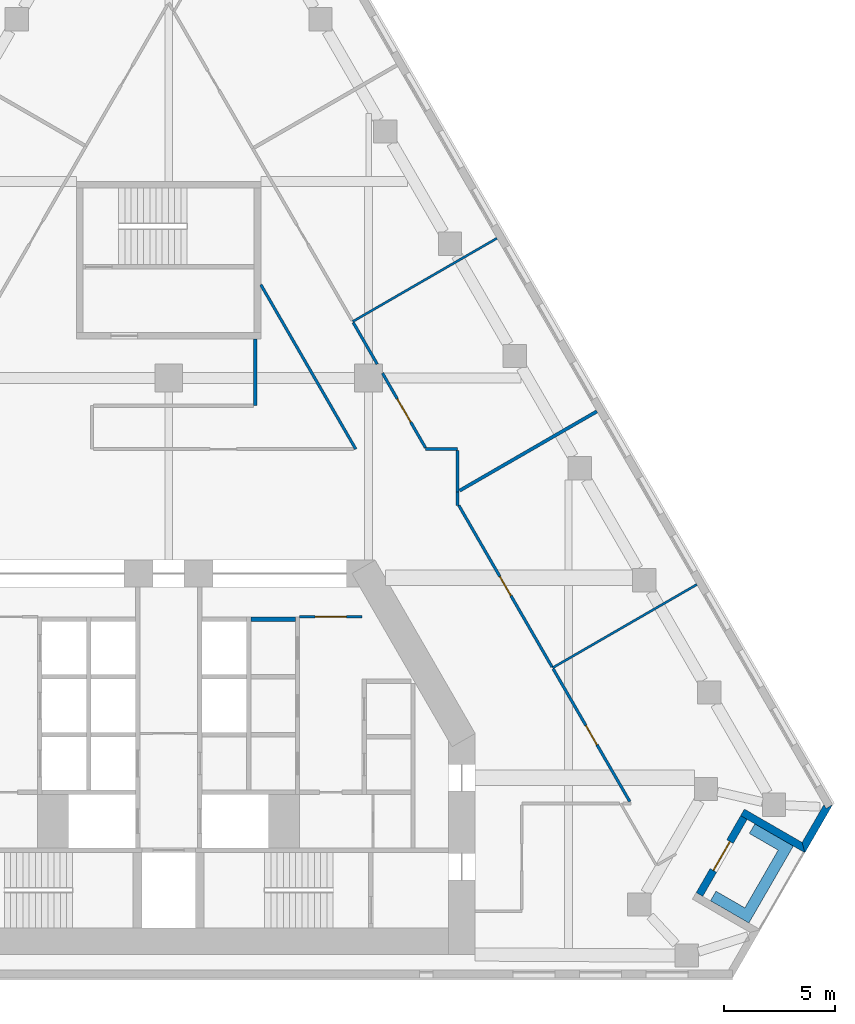
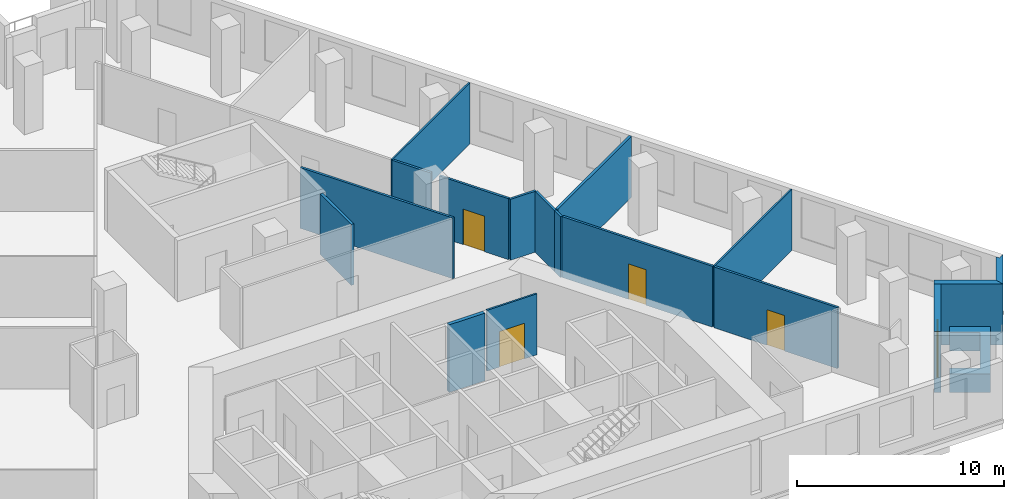
# One storey, part 7 of 10: 18 walls, 5 doors, 5 openings.
"""IFC4 building model written with IfcOpenShell, lengths in metres."""

import ifcopenshell
import ifcopenshell.guid

model = None  # the IFC model being written
_history = None  # IfcOwnerHistory: only IFC2X3 demands one
_inside = {}  # id of a spatial element -> (the spatial element, [elements in it])
_under = {}  # id of a project, library or spatial element -> (it, [spatial elements below it])
_declared = {}  # id of a project -> (the project, [libraries it declares])
_typed = {}  # id of a type object -> (the type object, [elements of that type])
_made_of = {}  # id of a material, layer set ... -> (it, [elements and type objects made of it])


def new_model(schema):
    """Start an empty IFC model of exactly this schema.

    Asked for "IFC4X3", IfcOpenShell would pick the latest addendum, in which some entities
    have other attributes; the version numbers below select the first issue.
    IFC2X3 requires an IfcOwnerHistory on every rooted entity: one is made here for all.
    """
    global model, _history
    if schema == "IFC4X3":
        model = ifcopenshell.file(schema_version=(4, 3, 0, 0))
    else:
        model = ifcopenshell.file(schema=schema)
    _inside.clear()
    _under.clear()
    _declared.clear()
    _typed.clear()
    _made_of.clear()
    _history = None
    if model.schema == "IFC2X3":
        org = make("IfcOrganization", Name="unknown")
        user = make(
            "IfcPersonAndOrganization",
            ThePerson=make("IfcPerson", FamilyName="unknown"),
            TheOrganization=org,
        )
        app = make(
            "IfcApplication",
            ApplicationDeveloper=org,
            Version="unknown",
            ApplicationFullName="unknown",
            ApplicationIdentifier="unknown",
        )
        _history = make(
            "IfcOwnerHistory",
            OwningUser=user,
            OwningApplication=app,
            ChangeAction="ADDED",
            CreationDate=0,
        )
    return model


def make(cls, **values):
    """One entity of the class cls with the attributes given. An attribute that is None is left unset."""
    return model.create_entity(
        cls, **{name: value for name, value in values.items() if value is not None}
    )


def rooted(cls, **values):
    """An entity with a GlobalId (a new one), such as an element, a storey or a relation."""
    return make(cls, GlobalId=ifcopenshell.guid.new(), OwnerHistory=_history, **values)


def si_unit(unit_type, name, prefix=None):
    """IfcSIUnit, for example si_unit("LENGTHUNIT", "METRE", prefix="MILLI")."""
    return make("IfcSIUnit", UnitType=unit_type, Prefix=prefix, Name=name)


def assignment(units):
    """IfcUnitAssignment: the units of a project."""
    return None if units is None else make("IfcUnitAssignment", Units=units)


def point(xyz):
    """IfcCartesianPoint."""
    return None if xyz is None else make("IfcCartesianPoint", Coordinates=xyz)


def direction(xyz):
    """IfcDirection."""
    return None if xyz is None else make("IfcDirection", DirectionRatios=xyz)


def frame(location, z_axis=None, x_axis=None):
    """IfcAxis2Placement3D, a coordinate frame: its origin and axes. An axis left out is left unset."""
    return make(
        "IfcAxis2Placement3D",
        Location=point(location),
        Axis=direction(z_axis),
        RefDirection=direction(x_axis),
    )


def frame_2d(location, x_axis=None):
    """IfcAxis2Placement2D, a coordinate frame in the plane: its origin and x axis."""
    return make(
        "IfcAxis2Placement2D", Location=point(location), RefDirection=direction(x_axis)
    )


def origin():
    """The frame at (0, 0, 0) with its axes left unset."""
    return frame((0.0, 0.0, 0.0))


def place(relative_to, where):
    """IfcLocalPlacement: puts the frame where relative to a parent placement (None: the world)."""
    return make(
        "IfcLocalPlacement", PlacementRelTo=relative_to, RelativePlacement=where
    )


def context(
    kind, dimensions, precision=None, world=None, true_north=None, identifier=None
):
    """IfcGeometricRepresentationContext, for example the 3D "Model" context."""
    return make(
        "IfcGeometricRepresentationContext",
        ContextIdentifier=identifier,
        ContextType=kind,
        CoordinateSpaceDimension=dimensions,
        Precision=precision,
        WorldCoordinateSystem=world,
        TrueNorth=true_north,
    )


def subcontext(parent, identifier, kind, view, scale=None):
    """IfcGeometricRepresentationSubContext, for example "Body" below "Model"."""
    return make(
        "IfcGeometricRepresentationSubContext",
        ContextIdentifier=identifier,
        ContextType=kind,
        ParentContext=parent,
        TargetScale=scale,
        TargetView=view,
    )


def project(units=None, contexts=None):
    """IfcProject with its units and contexts."""
    return rooted(
        "IfcProject",
        Name="project",
        RepresentationContexts=contexts,
        UnitsInContext=assignment(units),
    )


def spatial(cls, under=None, at=None, **own):
    """A site, building, storey or space (cls), placed at a placement, below another one or the project."""
    s = rooted(cls, ObjectPlacement=at, **own)
    if under is not None:
        _under.setdefault(under.id(), (under, []))[1].append(s)
    return s


def polyline(points):
    """IfcPolyline through the points."""
    return make("IfcPolyline", Points=[point(p) for p in points])


def profile(cls, at=None, kind="AREA", **sizes):
    """A parametric profile (cls). Its sizes go by their IFC names, for example OverallWidth=200.0."""
    return make(cls, ProfileType=kind, Position=at, **sizes)


def rectangle(**sizes):
    """IfcRectangleProfileDef."""
    return profile("IfcRectangleProfileDef", **sizes)


def outline(outer, holes=None, kind="AREA"):
    """IfcArbitraryClosedProfileDef: a profile drawn as a closed curve; with holes, ...WithVoids."""
    if holes is None:
        return make("IfcArbitraryClosedProfileDef", ProfileType=kind, OuterCurve=outer)
    return make(
        "IfcArbitraryProfileDefWithVoids",
        ProfileType=kind,
        OuterCurve=outer,
        InnerCurves=holes,
    )


def extrude(swept, where, along, depth):
    """IfcExtrudedAreaSolid: the profile swept, set in the frame where, extruded along a direction by depth."""
    return make(
        "IfcExtrudedAreaSolid",
        SweptArea=swept,
        Position=where,
        ExtrudedDirection=direction(along),
        Depth=depth,
    )


def shape(context_of_items, identifier, shape_type, items):
    """IfcShapeRepresentation: the items that make up one representation, for example the "Body"."""
    return make(
        "IfcShapeRepresentation",
        ContextOfItems=context_of_items,
        RepresentationIdentifier=identifier,
        RepresentationType=shape_type,
        Items=items,
    )


def material(Name=None, Category=None):
    """IfcMaterial."""
    return make("IfcMaterial", Name=Name, Category=Category)


def layer(
    of_material, thickness, ventilated=None, Name=None, Category=None, Priority=None
):
    """IfcMaterialLayer: one layer of a wall or slab, of a material (None: an air gap)."""
    return make(
        "IfcMaterialLayer",
        Material=of_material,
        LayerThickness=thickness,
        IsVentilated=ventilated,
        Name=Name,
        Category=Category,
        Priority=Priority,
    )


def layer_set(layers, Name=None):
    """IfcMaterialLayerSet."""
    return make("IfcMaterialLayerSet", MaterialLayers=layers, LayerSetName=Name)


def made_of(thing, what):
    """Note that an element or type object is made of a material, layer set ...; save() writes the relation."""
    if what is not None:
        _made_of.setdefault(what.id(), (what, []))[1].append(thing)
    return thing


def type_object(cls, material=None, **own):
    """A type object (cls), such as IfcWallType, which elements share."""
    return made_of(rooted(cls, **own), material)


def element(
    cls,
    number,
    at=None,
    inside=None,
    cuts=None,
    type_object=None,
    material=None,
    context=None,
    identifier="Body",
    shape_type=None,
    held_by="IfcProductDefinitionShape",
    body=None,
    shapes=None,
    **own,
):
    """One element of the class cls, such as IfcWall. Its Tag is "e" and its number.

    at: its placement. inside: the storey or other place that contains it. cuts: it is an
    opening in that element (IfcRelVoidsElement). A single representation is given by context,
    identifier, shape_type and body (its items); several are given by shapes. held_by: the class
    of the entity that holds the representations. save() writes the other relations.
    """
    e = rooted(cls, Tag="e%d" % number, ObjectPlacement=at, **own)
    if body is not None:
        shapes = [shape(context, identifier, shape_type, body)]
    if shapes is not None:
        e.Representation = make(held_by, Representations=shapes)
    if inside is not None:
        _inside.setdefault(inside.id(), (inside, []))[1].append(e)
    if cuts is not None:
        rooted(
            "IfcRelVoidsElement", RelatingBuildingElement=cuts, RelatedOpeningElement=e
        )
    if type_object is not None:
        _typed.setdefault(type_object.id(), (type_object, []))[1].append(e)
    return made_of(e, material)


def fill(opening, filler):
    """IfcRelFillsElement: the door or window that sits in an opening."""
    return rooted(
        "IfcRelFillsElement",
        RelatingOpeningElement=opening,
        RelatedBuildingElement=filler,
    )


def aggregate(whole, parts):
    """IfcRelAggregates: a whole, such as a stair, and the parts it consists of."""
    return rooted("IfcRelAggregates", RelatingObject=whole, RelatedObjects=parts)


def save(model, path):
    """Write the relations noted so far, then the file.

    IfcRelAggregates (storeys below a building ...), IfcRelContainedInSpatialStructure (elements
    in a storey), IfcRelDefinesByType, IfcRelAssociatesMaterial and IfcRelDeclares: one each for
    every whole, place, type object, material and project.
    """
    for whole, parts in _under.values():
        aggregate(whole, parts)
    for where, things in _inside.values():
        rooted(
            "IfcRelContainedInSpatialStructure",
            RelatedElements=things,
            RelatingStructure=where,
        )
    for kind, things in _typed.values():
        rooted("IfcRelDefinesByType", RelatedObjects=things, RelatingType=kind)
    for what, things in _made_of.values():
        rooted("IfcRelAssociatesMaterial", RelatedObjects=things, RelatingMaterial=what)
    for by, libraries in _declared.values():
        rooted("IfcRelDeclares", RelatingContext=by, RelatedDefinitions=libraries)
    model.write(path)


model = new_model("IFC4")

# Units and contexts
model_context = context("Model", 3, precision=1e-05, world=origin(), true_north=direction((0.0, 1.0)))
body_context = subcontext(model_context, "Body", "Model", "MODEL_VIEW")
ifc_project = project(units=[si_unit("LENGTHUNIT", "METRE"), si_unit("AREAUNIT", "SQUARE_METRE"), si_unit("VOLUMEUNIT", "CUBIC_METRE"), si_unit("PLANEANGLEUNIT", "RADIAN"), si_unit("MASSUNIT", "GRAM", prefix="KILO")], contexts=[model_context])

# Site, building, storey
site_placement = place(None, origin())
site = spatial("IfcSite", under=ifc_project, at=site_placement, CompositionType="ELEMENT")
building_placement = place(site_placement, origin())
building = spatial("IfcBuilding", under=site, at=building_placement, Name="Fogline Exchange Tower", CompositionType="ELEMENT")
storey_placement = place(building_placement, frame((0.0, 0.0, 128.10009765625)))
storey = spatial("IfcBuildingStorey", under=building, at=storey_placement, Name="L28", CompositionType="ELEMENT", Elevation=128.10009765625)

# Wall, opening, door
ifc_material_1 = material(Name="Blockwork partition", Category="masonry")
ifc_layer_1 = layer(ifc_material_1, 0.10009765625)
ifc_layer_set_1 = layer_set([ifc_layer_1], Name="CW10")
wall_type_1 = type_object("IfcWallType", Name="CW10", PredefinedType="PARTITIONING", material=ifc_layer_set_1)
wall_1_placement = place(storey_placement, frame((5.89990234375, 16.25, 0.0), z_axis=(0.0, 0.0, 1.0), x_axis=(1.0, 0.0, 0.0)))
wall_1 = element("IfcWall", 1, at=wall_1_placement, inside=storey, type_object=wall_type_1, Name="Lift lobby partition", PredefinedType="PARTITIONING", context=body_context, shape_type="SweptSolid", body=[
    extrude(rectangle(XDim=2.800048828125, YDim=0.10009765625, at=frame_2d((1.39990234375, 0.0))), origin(), (0.0, 0.0, 1.0), 3.599853515625),
])
opening_1_placement = place(wall_1_placement, frame((0.699951171875, 0.0, 0.0)))
opening_1 = element("IfcOpeningElement", 2, at=opening_1_placement, cuts=wall_1, Name="Opening T08-C013", PredefinedType="OPENING", context=body_context, shape_type="SweptSolid", body=[
    extrude(rectangle(XDim=1.39990234375, YDim=2.10009765625, at=frame_2d((0.699951171875, 1.050048828125))), frame((0.0, 0.06005859375, 0.0), z_axis=(0.0, -1.0, 0.0), x_axis=(1.0, 0.0, 0.0)), (0.0, 0.0, 1.0), 0.1201171875),
])
ifc_material_2 = material(Name="Steel and timber fire door", Category="steel")
door_type_1 = type_object("IfcDoorType", Name="D-LB1", OperationType="DOUBLE_DOOR_SINGLE_SWING", PredefinedType="DOOR", material=ifc_material_2)
door_1_placement = place(opening_1_placement, origin())
door_1 = element("IfcDoor", 3, at=door_1_placement, inside=storey, type_object=door_type_1, Name="Door to lift lobby", OperationType="DOUBLE_DOOR_SINGLE_SWING", OverallHeight=2.10009765625, OverallWidth=1.39990234375, PredefinedType="DOOR", context=body_context, shape_type="SweptSolid", body=[
    extrude(rectangle(XDim=1.39990234375, YDim=2.10009765625, at=frame_2d((0.699951171875, 1.050048828125))), frame((0.0, 0.02490234375, 0.0), z_axis=(0.0, -1.0, 0.0), x_axis=(1.0, 0.0, 0.0)), (0.0, 0.0, 1.0), 0.050048828125),
])
fill(opening_1, door_1)

# Wall
ifc_material_3 = material(Name="Concrete C40", Category="concrete")
ifc_layer_2 = layer(ifc_material_3, 0.199951171875)
ifc_layer_set_2 = layer_set([ifc_layer_2], Name="CW20S")
wall_type_2 = type_object("IfcWallType", Name="CW20S", PredefinedType="SOLIDWALL", material=ifc_layer_set_2)
wall_2_placement = place(storey_placement, frame((3.699951171875, 16.14990234375, -0.400146484375), z_axis=(0.0, 0.0, 1.0), x_axis=(1.0, 0.0, 0.0)))
element("IfcWall", 4, at=wall_2_placement, inside=storey, type_object=wall_type_2, Name="Lift shaft wall", PredefinedType="SOLIDWALL", context=body_context, shape_type="SweptSolid", body=[
    extrude(rectangle(XDim=2.0, YDim=0.199951171875, at=frame_2d((1.0, 0.0))), origin(), (0.0, 0.0, 1.0), 4.0),
])

# Wall, opening, door
ifc_material_4 = material(Name="Brick masonry", Category="masonry")
ifc_layer_3 = layer(ifc_material_4, 0.340087890625)
ifc_layer_set_3 = layer_set([ifc_layer_3], Name="FW1")
wall_type_3 = type_object("IfcWallType", Name="FW1", PredefinedType="SOLIDWALL", material=ifc_layer_set_3)
wall_3_placement = place(storey_placement, frame((23.89794921875, 3.75, 0.0), z_axis=(0.0, 0.0, 1.0), x_axis=(0.49999894854, 0.866026010844, 0.0)))
wall_3 = element("IfcWall", 5, at=wall_3_placement, inside=storey, type_object=wall_type_3, Name="Brick wall L28 SE-bk", PredefinedType="SOLIDWALL", context=body_context, shape_type="SweptSolid", body=[
    extrude(rectangle(XDim=4.0, YDim=0.340087890625, at=frame_2d((2.0, 0.0))), origin(), (0.0, 0.0, 1.0), 3.599853515625),
])
opening_2_placement = place(wall_3_placement, frame((1.25, 0.0, 0.0)))
opening_2 = element("IfcOpeningElement", 6, at=opening_2_placement, cuts=wall_3, Name="Opening T08-E081", PredefinedType="OPENING", context=body_context, shape_type="SweptSolid", body=[
    extrude(rectangle(XDim=1.5, YDim=2.39990234375, at=frame_2d((0.75, 1.199951171875))), frame((0.0, 0.18017578125, 0.0), z_axis=(0.0, -1.0, 0.0), x_axis=(1.0, 0.0, 0.0)), (0.0, 0.0, 1.0), 0.360107421875),
])
ifc_material_5 = material(Name="Aluminium and glass", Category="aluminium")
door_type_2 = type_object("IfcDoorType", Name="ED4", OperationType="SINGLE_SWING_LEFT", PredefinedType="DOOR", material=ifc_material_5)
door_2_placement = place(opening_2_placement, frame((1.5, 0.0, 0.0), z_axis=(0.0, 0.0, 1.0), x_axis=(-1.0, 0.0, 0.0)))
door_2 = element("IfcDoor", 7, at=door_2_placement, inside=storey, type_object=door_type_2, Name="Balcony door L28 SE", OperationType="DOUBLE_DOOR_SINGLE_SWING", OverallHeight=2.39990234375, OverallWidth=1.5, PredefinedType="DOOR", context=body_context, shape_type="SweptSolid", body=[
    extrude(rectangle(XDim=1.5, YDim=2.39990234375, at=frame_2d((0.75, 1.199951171875))), frame((0.0, 0.02490234375, 0.0), z_axis=(0.0, -1.0, 0.0), x_axis=(1.0, 0.0, 0.0)), (0.0, 0.0, 1.0), 0.050048828125),
])
fill(opening_2, door_2)

# Walls
wall_4_placement = place(storey_placement, origin())
element("IfcWall", 8, at=wall_4_placement, inside=storey, type_object=wall_type_3, Name="Brick wall L28 SE-s2", PredefinedType="SOLIDWALL", context=body_context, shape_type="SweptSolid", body=[
    extrude(outline(polyline([(28.643798828125, 5.628173828125), (26.044921875, 7.128662109375), (25.75, 7.298828125), (25.92041015625, 7.594482421875), (28.519287109375, 6.093994140625), (28.64404296875, 5.62841796875), (28.643798828125, 5.628173828125)])), origin(), (0.0, 0.0, 1.0), 3.599853515625),
])
wall_5_placement = place(storey_placement, origin())
element("IfcWall", 9, at=wall_5_placement, inside=storey, type_object=wall_type_3, Name="Brick wall L28 SE-c2", PredefinedType="SOLIDWALL", context=body_context, shape_type="SweptSolid", body=[
    extrude(outline(polyline([(29.500732421875, 7.79541015625), (29.59912109375, 7.625), (29.893798828125, 7.79541015625), (29.894287109375, 7.794921875), (28.643310546875, 5.6279296875), (28.64306640625, 5.6279296875), (28.51806640625, 6.09375), (29.500732421875, 7.79541015625)])), origin(), (0.0, 0.0, 1.0), 3.599853515625),
])
ifc_material_6 = material(Name="Concrete C30", Category="concrete")
ifc_layer_4 = layer(ifc_material_6, 0.199951171875)
ifc_layer_set_4 = layer_set([ifc_layer_4], Name="PL1")
wall_type_4 = type_object("IfcWallType", Name="PL1", PredefinedType="USERDEFINED", material=ifc_layer_set_4)
wall_6_placement = place(storey_placement, origin())
element("IfcWall", 10, at=wall_6_placement, inside=storey, type_object=wall_type_4, Name="PLANTER balcony L28 SE", ObjectType="PLANTER", PredefinedType="USERDEFINED", context=body_context, shape_type="SweptSolid", body=[
    extrude(outline(polyline([(24.3916015625, 3.465087890625), (25.690673828125, 2.715087890625), (25.690673828125, 2.715087890625), (26.12353515625, 2.465087890625), (27.87353515625, 5.49609375), (28.12353515625, 5.92919921875), (26.3916015625, 6.92919921875), (26.1416015625, 6.49609375), (27.440673828125, 5.74609375), (25.940673828125, 3.148193359375), (24.6416015625, 3.898193359375), (24.3916015625, 3.465087890625)])), origin(), (0.0, 0.0, 1.0), 1.099853515625),
])
ifc_material_7 = material(Name="Plasterboard partition, 2 layers each side on steel studs", Category="steel")
ifc_layer_5 = layer(ifc_material_7, 0.10009765625)
ifc_layer_set_5 = layer_set([ifc_layer_5], Name="PW1")
wall_type_5 = type_object("IfcWallType", Name="PW1", PredefinedType="PARTITIONING", material=ifc_layer_set_5)
for number, where, z_axis, x_axis, name in (
    (11, (8.2841796875, 29.54248046875, 0.0), (0.0, 0.0, 1.0), (0.866022959057, 0.500004234368, 0.0), "wall-L28-W034"),
    (12, (17.2841796875, 13.9541015625, 0.0), (0.0, 0.0, 1.0), (0.866022959057, 0.500004234368, 0.0), "wall-L28-W049"),
):
    element("IfcWall", number, at=place(storey_placement, frame(where, z_axis=z_axis, x_axis=x_axis)), inside=storey, type_object=wall_type_5, Name=name, PredefinedType="PARTITIONING", context=body_context, shape_type="SweptSolid", body=[
        extrude(rectangle(XDim=7.5, YDim=0.10009765625, at=frame_2d((3.75, 0.0))), origin(), (0.0, 0.0, 1.0), 3.599853515625),
    ])
ifc_material_8 = material(Name="Plasterboard corridor partition with mineral wool, 2 layers each side")
ifc_layer_6 = layer(ifc_material_8, 0.125)
ifc_layer_set_6 = layer_set([ifc_layer_6], Name="PW2")
wall_type_6 = type_object("IfcWallType", Name="PW2", PredefinedType="PARTITIONING", material=ifc_layer_set_6)
wall_7_placement = place(storey_placement, frame((11.562744140625, 23.800048828125, 0.0), z_axis=(0.0, 0.0, 1.0), x_axis=(1.0, 0.0, 0.0)))
element("IfcWall", 13, at=wall_7_placement, inside=storey, type_object=wall_type_6, Name="wall-L28-W003", PredefinedType="PARTITIONING", context=body_context, shape_type="SweptSolid", body=[
    extrude(rectangle(XDim=1.437255859375, YDim=0.125, at=frame_2d((0.71875, 0.0))), origin(), (0.0, 0.0, 1.0), 3.599853515625),
])
wall_8_placement = place(storey_placement, frame((13.0, 23.737548828125, 0.0), z_axis=(0.0, 0.0, 1.0), x_axis=(0.0, -1.0, 0.0)))
element("IfcWall", 14, at=wall_8_placement, inside=storey, type_object=wall_type_6, Name="wall-L28-W004", PredefinedType="PARTITIONING", context=body_context, shape_type="SweptSolid", body=[
    extrude(rectangle(XDim=1.86474609375, YDim=0.125, at=frame_2d((0.932373046875, 0.0))), origin(), (0.0, 0.0, 1.0), 3.599853515625),
])
wall_9_placement = place(storey_placement, frame((13.0, 21.872802734375, 0.0), z_axis=(0.0, 0.0, 1.0), x_axis=(0.0, -1.0, 0.0)))
element("IfcWall", 15, at=wall_9_placement, inside=storey, type_object=wall_type_6, Name="wall-L28-W008", PredefinedType="PARTITIONING", context=body_context, shape_type="SweptSolid", body=[
    extrude(rectangle(XDim=0.607177734375, YDim=0.125, at=frame_2d((0.3037109375, 0.0))), origin(), (0.0, 0.0, 1.0), 3.599853515625),
])
wall_10_placement = place(storey_placement, frame((8.309326171875, 29.498779296875, 0.0), z_axis=(0.0, 0.0, 1.0), x_axis=(0.499986178718, -0.866033383358, 0.0)))
element("IfcWall", 16, at=wall_10_placement, inside=storey, type_object=wall_type_6, Name="wall-L28-W011", PredefinedType="PARTITIONING", context=body_context, shape_type="SweptSolid", body=[
    extrude(rectangle(XDim=2.16357421875, YDim=0.125, at=frame_2d((1.081787109375, 0.0))), origin(), (0.0, 0.0, 1.0), 3.599853515625),
])

# Wall, opening, door
wall_11_placement = place(storey_placement, frame((9.625, 27.219970703125, 0.0), z_axis=(0.0, 0.0, 1.0), x_axis=(0.500013181875, -0.866017793092, 0.0)))
wall_11 = element("IfcWall", 17, at=wall_11_placement, inside=storey, type_object=wall_type_6, Name="wall-L28-W012", PredefinedType="PARTITIONING", context=body_context, shape_type="SweptSolid", body=[
    extrude(rectangle(XDim=3.876953125, YDim=0.125, at=frame_2d((1.9384765625, 0.0))), origin(), (0.0, 0.0, 1.0), 3.599853515625),
])
opening_3_placement = place(wall_11_placement, frame((1.33837890625, 0.0, 0.0)))
opening_3 = element("IfcOpeningElement", 18, at=opening_3_placement, cuts=wall_11, Name="Opening T08-D005", PredefinedType="OPENING", context=body_context, shape_type="SweptSolid", body=[
    extrude(rectangle(XDim=1.199951171875, YDim=2.10009765625, at=frame_2d((0.60009765625, 1.050048828125))), frame((0.0, 0.072509765625, 0.0), z_axis=(0.0, -1.0, 0.0), x_axis=(1.0, 0.0, 0.0)), (0.0, 0.0, 1.0), 0.14501953125),
])
ifc_material_9 = material(Name="Fire-rated glazed door leaf with steel frame", Category="steel")
door_type_3 = type_object("IfcDoorType", Name="D5", OperationType="SINGLE_SWING_LEFT", PredefinedType="DOOR", material=ifc_material_9)
door_3_placement = place(opening_3_placement, origin())
door_3 = element("IfcDoor", 19, at=door_3_placement, inside=storey, type_object=door_type_3, Name="door-L28-D005", OperationType="SINGLE_SWING_RIGHT", OverallHeight=2.10009765625, OverallWidth=1.199951171875, PredefinedType="DOOR", context=body_context, shape_type="SweptSolid", body=[
    extrude(rectangle(XDim=1.199951171875, YDim=2.10009765625, at=frame_2d((0.60009765625, 1.050048828125))), frame((0.0, 0.02490234375, 0.0), z_axis=(0.0, -1.0, 0.0), x_axis=(1.0, 0.0, 0.0)), (0.0, 0.0, 1.0), 0.050048828125),
])
fill(opening_3, door_3)

# Wall
wall_12_placement = place(storey_placement, frame((8.424072265625, 23.800048828125, 0.0), z_axis=(0.0, 0.0, 1.0), x_axis=(-0.500012533912, 0.866018167206, 0.0)))
element("IfcWall", 20, at=wall_12_placement, inside=storey, type_object=wall_type_6, Name="wall-L28-W014", PredefinedType="PARTITIONING", context=body_context, shape_type="SweptSolid", body=[
    extrude(rectangle(XDim=8.548095703125, YDim=0.125, at=frame_2d((4.27392578125, 0.0))), origin(), (0.0, 0.0, 1.0), 3.599853515625),
])

# Wall, opening, door
wall_13_placement = place(storey_placement, frame((17.309326171875, 13.910400390625, 0.0), z_axis=(0.0, 0.0, 1.0), x_axis=(0.499974600225, -0.866040067854, 0.0)))
wall_13 = element("IfcWall", 21, at=wall_13_placement, inside=storey, type_object=wall_type_6, Name="wall-L28-W030", PredefinedType="PARTITIONING", context=body_context, shape_type="SweptSolid", body=[
    extrude(rectangle(XDim=6.900634765625, YDim=0.125, at=frame_2d((3.4501953125, 0.0))), origin(), (0.0, 0.0, 1.0), 3.599853515625),
])
opening_4_placement = place(wall_13_placement, frame((2.9501953125, 0.0, 0.0)))
opening_4 = element("IfcOpeningElement", 22, at=opening_4_placement, cuts=wall_13, Name="Opening T08-D013", PredefinedType="OPENING", context=body_context, shape_type="SweptSolid", body=[
    extrude(rectangle(XDim=1.0, YDim=2.10009765625, at=frame_2d((0.5, 1.050048828125))), frame((0.0, 0.072509765625, 0.0), z_axis=(0.0, -1.0, 0.0), x_axis=(1.0, 0.0, 0.0)), (0.0, 0.0, 1.0), 0.14501953125),
])
ifc_material_10 = material(Name="Fire-rated timber door leaf with steel frame", Category="steel")
door_type_4 = type_object("IfcDoorType", Name="D3", OperationType="SINGLE_SWING_LEFT", PredefinedType="DOOR", material=ifc_material_10)
door_4_placement = place(opening_4_placement, origin())
door_4 = element("IfcDoor", 23, at=door_4_placement, inside=storey, type_object=door_type_4, Name="door-L28-D013", OperationType="SINGLE_SWING_LEFT", OverallHeight=2.10009765625, OverallWidth=1.0, PredefinedType="DOOR", context=body_context, shape_type="SweptSolid", body=[
    extrude(rectangle(XDim=1.0, YDim=2.10009765625, at=frame_2d((0.5, 1.050048828125))), frame((0.0, 0.02490234375, 0.0), z_axis=(0.0, -1.0, 0.0), x_axis=(1.0, 0.0, 0.0)), (0.0, 0.0, 1.0), 0.050048828125),
])
fill(opening_4, door_4)

wall_14_placement = place(storey_placement, frame((13.0625, 21.265869140625, 0.0), z_axis=(0.0, 0.0, 1.0), x_axis=(0.50000616322, -0.866021845419, 0.0)))
wall_14 = element("IfcWall", 24, at=wall_14_placement, inside=storey, type_object=wall_type_6, Name="wall-L28-W032", PredefinedType="PARTITIONING", context=body_context, shape_type="SweptSolid", body=[
    extrude(rectangle(XDim=8.392578125, YDim=0.125, at=frame_2d((4.1962890625, 0.0))), origin(), (0.0, 0.0, 1.0), 3.599853515625),
])
opening_5_placement = place(wall_14_placement, frame((3.6962890625, 0.0, 0.0)))
opening_5 = element("IfcOpeningElement", 25, at=opening_5_placement, cuts=wall_14, Name="Opening T08-D014", PredefinedType="OPENING", context=body_context, shape_type="SweptSolid", body=[
    extrude(rectangle(XDim=1.0, YDim=2.10009765625, at=frame_2d((0.5, 1.050048828125))), frame((0.0, 0.072509765625, 0.0), z_axis=(0.0, -1.0, 0.0), x_axis=(1.0, 0.0, 0.0)), (0.0, 0.0, 1.0), 0.14501953125),
])
door_5_placement = place(opening_5_placement, origin())
door_5 = element("IfcDoor", 26, at=door_5_placement, inside=storey, type_object=door_type_4, Name="door-L28-D014", OperationType="SINGLE_SWING_LEFT", OverallHeight=2.10009765625, OverallWidth=1.0, PredefinedType="DOOR", context=body_context, shape_type="SweptSolid", body=[
    extrude(rectangle(XDim=1.0, YDim=2.10009765625, at=frame_2d((0.5, 1.050048828125))), frame((0.0, 0.02490234375, 0.0), z_axis=(0.0, -1.0, 0.0), x_axis=(1.0, 0.0, 0.0)), (0.0, 0.0, 1.0), 0.050048828125),
])
fill(opening_5, door_5)

# Walls
ifc_material_11 = material(Name="Plasterboard demising partition with mineral wool and acoustic board")
ifc_layer_7 = layer(ifc_material_11, 0.14990234375)
ifc_layer_set_7 = layer_set([ifc_layer_7], Name="PW3")
wall_type_7 = type_object("IfcWallType", Name="PW3", PredefinedType="PARTITIONING", material=ifc_layer_set_7)
wall_15_placement = place(storey_placement, frame((19.279296875, 25.498291015625, 0.0), z_axis=(0.0, 0.0, 1.0), x_axis=(-0.866027744296, -0.499995946093, 0.0)))
element("IfcWall", 27, at=wall_15_placement, inside=storey, type_object=wall_type_7, Name="wall-L28-W035", PredefinedType="PARTITIONING", context=body_context, shape_type="SweptSolid", body=[
    extrude(rectangle(XDim=7.134765625, YDim=0.14990234375, at=frame_2d((3.5673828125, 0.0))), origin(), (0.0, 0.0, 1.0), 3.599853515625),
])
ifc_material_12 = material(Name="Plasterboard stair lobby partition, 3 layers each side on steel studs", Category="steel")
ifc_layer_8 = layer(ifc_material_12, 0.14990234375)
ifc_layer_set_8 = layer_set([ifc_layer_8], Name="PW4")
wall_type_8 = type_object("IfcWallType", Name="PW4", PredefinedType="PARTITIONING", material=ifc_layer_set_8)
wall_16_placement = place(storey_placement, frame((3.89990234375, 28.757080078125, 0.0), z_axis=(0.0, 0.0, 1.0), x_axis=(0.0, -1.0, 0.0)))
element("IfcWall", 28, at=wall_16_placement, inside=storey, type_object=wall_type_8, Name="wall-L28-W023", PredefinedType="PARTITIONING", context=body_context, shape_type="SweptSolid", body=[
    extrude(rectangle(XDim=3.0, YDim=0.14990234375, at=frame_2d((1.5, 0.0))), origin(), (0.0, 0.0, 1.0), 3.599853515625),
])

save(model, "model.ifc")
